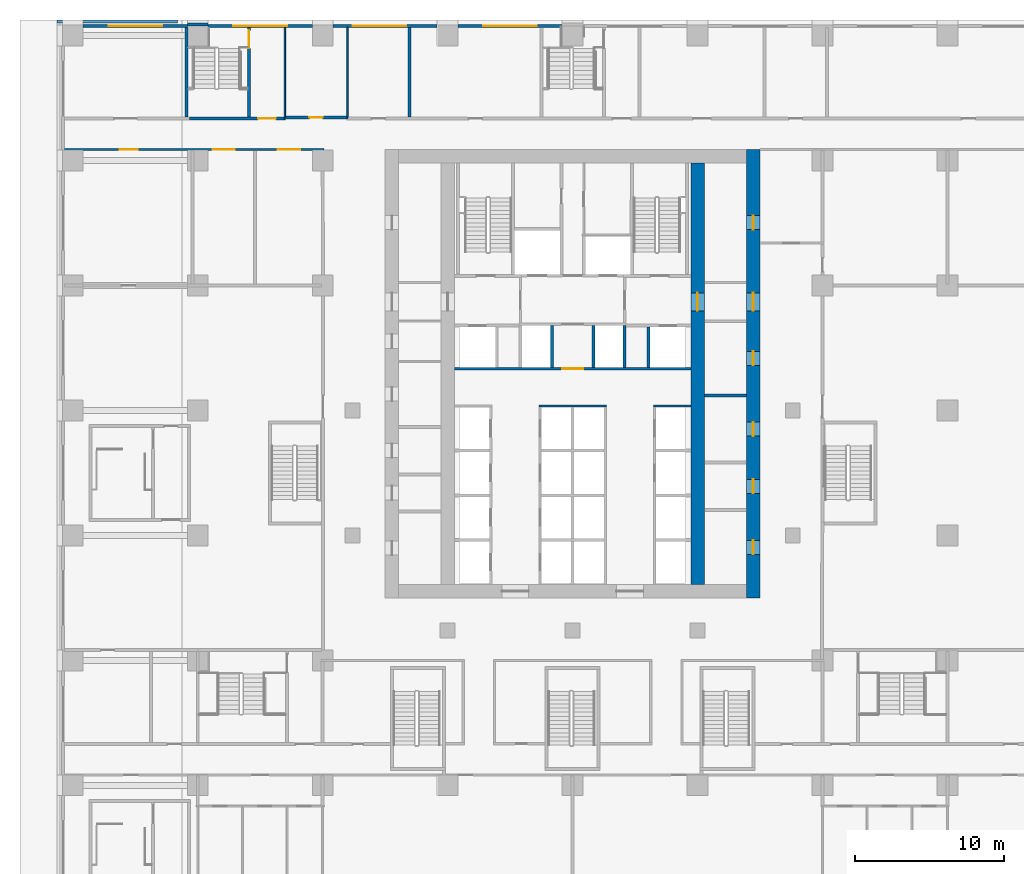
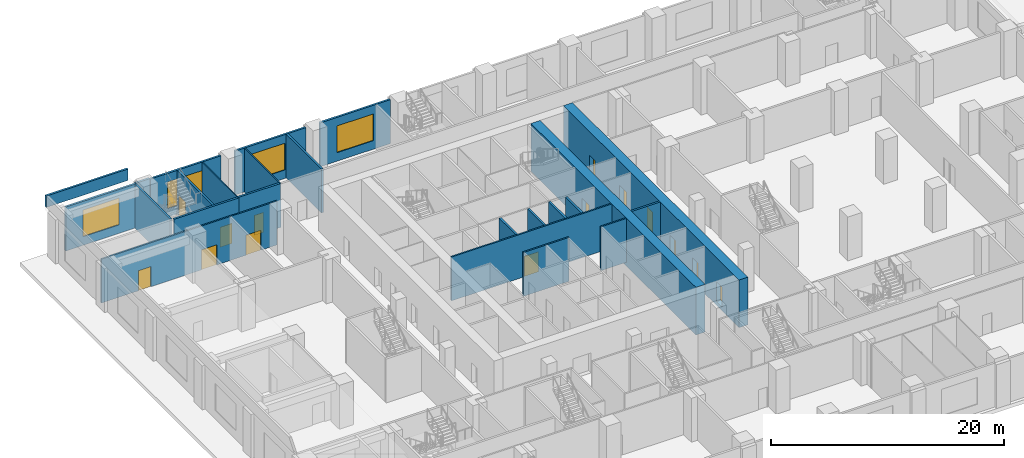
# One storey, part 13 of 29: 24 walls, 14 doors, 4 windows, 18 openings.
"""IFC4 building model written with IfcOpenShell, lengths in metres."""

from ifc_helpers import new_model, si_unit, direction, frame, frame_2d, origin, place, context, subcontext, project, spatial, rectangle, extrude, material, layer, layer_set, type_object, element, fill, save


model = new_model("IFC4")

# Units and contexts
model_context = context("Model", 3, precision=1e-05, world=origin(), true_north=direction((0.0, 1.0)))
body_context = subcontext(model_context, "Body", "Model", "MODEL_VIEW")
ifc_project = project(units=[si_unit("LENGTHUNIT", "METRE"), si_unit("AREAUNIT", "SQUARE_METRE"), si_unit("VOLUMEUNIT", "CUBIC_METRE"), si_unit("PLANEANGLEUNIT", "RADIAN"), si_unit("MASSUNIT", "GRAM", prefix="KILO")], contexts=[model_context])

# Site, building, storey
site_placement = place(None, origin())
site = spatial("IfcSite", under=ifc_project, at=site_placement, CompositionType="ELEMENT")
building_placement = place(site_placement, origin())
building = spatial("IfcBuilding", under=site, at=building_placement, Name="Vermilion Ogive Tower", CompositionType="ELEMENT")
storey_placement = place(building_placement, frame((0.0, 0.0, 7.5)))
storey = spatial("IfcBuildingStorey", under=building, at=storey_placement, Name="L01", CompositionType="ELEMENT", Elevation=7.5)

# Wall, openings, doors
ifc_material_1 = material(Name="Concrete B80", Category="concrete")
ifc_layer_1 = layer(ifc_material_1, 0.89990234375)
ifc_layer_set_1 = layer_set([ifc_layer_1], Name="Core wall 900 B80")
wall_type_1 = type_object("IfcWallType", Name="Core wall 900 B80", PredefinedType="SHEAR", material=ifc_layer_set_1)
wall_1_placement = place(storey_placement, frame((12.14990234375, -8.39990234375, -0.39990234375), z_axis=(0.0, 0.0, 1.0), x_axis=(0.0, 1.0, 0.0)))
wall_1 = element("IfcWall", 1, at=wall_1_placement, inside=storey, type_object=wall_type_1, Name="L01-CORE-E", PredefinedType="SHEAR", context=body_context, shape_type="SweptSolid", body=[
    extrude(rectangle(XDim=30.14990234375, YDim=0.89990234375, at=frame_2d((15.074951171875, 0.0))), origin(), (0.0, 0.0, 1.0), 5.0),
])
opening_1_placement = place(wall_1_placement, frame((2.925048828125, 0.0, 0.39990234375)))
opening_1 = element("IfcOpeningElement", 2, at=opening_1_placement, cuts=wall_1, Name="Opening DAJ007", PredefinedType="OPENING", context=body_context, shape_type="SweptSolid", body=[
    extrude(rectangle(XDim=0.949951171875, YDim=2.10009765625, at=frame_2d((0.47509765625, 1.050048828125))), frame((0.0, 0.4599609375, 0.0), z_axis=(0.0, -1.0, 0.0), x_axis=(1.0, 0.0, 0.0)), (0.0, 0.0, 1.0), 0.919921875),
])
opening_2_placement = place(wall_1_placement, frame((7.02490234375, 0.0, 0.39990234375)))
opening_2 = element("IfcOpeningElement", 3, at=opening_2_placement, cuts=wall_1, Name="Opening DAJ008", PredefinedType="OPENING", context=body_context, shape_type="SweptSolid", body=[
    extrude(rectangle(XDim=0.949951171875, YDim=2.10009765625, at=frame_2d((0.47509765625, 1.050048828125))), frame((0.0, 0.4599609375, 0.0), z_axis=(0.0, -1.0, 0.0), x_axis=(1.0, 0.0, 0.0)), (0.0, 0.0, 1.0), 0.919921875),
])
opening_3_placement = place(wall_1_placement, frame((10.875, 0.0, 0.39990234375)))
opening_3 = element("IfcOpeningElement", 4, at=opening_3_placement, cuts=wall_1, Name="Opening DAJ009", PredefinedType="OPENING", context=body_context, shape_type="SweptSolid", body=[
    extrude(rectangle(XDim=0.949951171875, YDim=2.10009765625, at=frame_2d((0.47509765625, 1.050048828125))), frame((0.0, 0.4599609375, 0.0), z_axis=(0.0, -1.0, 0.0), x_axis=(1.0, 0.0, 0.0)), (0.0, 0.0, 1.0), 0.919921875),
])
opening_4_placement = place(wall_1_placement, frame((15.625, 0.0, 0.39990234375)))
opening_4 = element("IfcOpeningElement", 5, at=opening_4_placement, cuts=wall_1, Name="Opening DAJ010", PredefinedType="OPENING", context=body_context, shape_type="SweptSolid", body=[
    extrude(rectangle(XDim=0.949951171875, YDim=2.10009765625, at=frame_2d((0.47509765625, 1.050048828125))), frame((0.0, 0.4599609375, 0.0), z_axis=(0.0, -1.0, 0.0), x_axis=(1.0, 0.0, 0.0)), (0.0, 0.0, 1.0), 0.919921875),
])
opening_5_placement = place(wall_1_placement, frame((24.75, 0.0, 0.39990234375)))
opening_5 = element("IfcOpeningElement", 6, at=opening_5_placement, cuts=wall_1, Name="Opening DAJ011", PredefinedType="OPENING", context=body_context, shape_type="SweptSolid", body=[
    extrude(rectangle(XDim=0.949951171875, YDim=2.10009765625, at=frame_2d((0.47509765625, 1.050048828125))), frame((0.0, 0.4599609375, 0.0), z_axis=(0.0, -1.0, 0.0), x_axis=(1.0, 0.0, 0.0)), (0.0, 0.0, 1.0), 0.919921875),
])
opening_6_placement = place(wall_1_placement, frame((19.300048828125, 0.0, 0.39990234375)))
opening_6 = element("IfcOpeningElement", 7, at=opening_6_placement, cuts=wall_1, Name="Opening DBA002", PredefinedType="OPENING", context=body_context, shape_type="SweptSolid", body=[
    extrude(rectangle(XDim=1.199951171875, YDim=2.10009765625, at=frame_2d((0.60009765625, 1.050048828125))), frame((0.0, 0.4599609375, 0.0), z_axis=(0.0, -1.0, 0.0), x_axis=(1.0, 0.0, 0.0)), (0.0, 0.0, 1.0), 0.919921875),
])
ifc_material_2 = material(Name="Timber door leaf", Category="wood")
door_type_1 = type_object("IfcDoorType", Name="Link door 1200 x 2100 FD60S", OperationType="SINGLE_SWING_LEFT", PredefinedType="DOOR", material=ifc_material_2)
door_1_placement = place(opening_6_placement, origin())
door_1 = element("IfcDoor", 8, at=door_1_placement, inside=storey, type_object=door_type_1, Name="L01-CKE-XL", OperationType="SINGLE_SWING_LEFT", OverallHeight=2.10009765625, OverallWidth=1.199951171875, PredefinedType="DOOR", context=body_context, shape_type="SweptSolid", body=[
    extrude(rectangle(XDim=1.199951171875, YDim=2.10009765625, at=frame_2d((0.60009765625, 1.050048828125))), frame((0.0, 0.02490234375, 0.0), z_axis=(0.0, -1.0, 0.0), x_axis=(1.0, 0.0, 0.0)), (0.0, 0.0, 1.0), 0.050048828125),
])
fill(opening_6, door_1)
ifc_material_3 = material(Name="Timber door leaf", Category="wood")
door_type_2 = type_object("IfcDoorType", Name="Service door 950 x 2100 FD60", OperationType="SINGLE_SWING_LEFT", PredefinedType="DOOR", material=ifc_material_3)
door_2_placement = place(opening_1_placement, origin())
door_2 = element("IfcDoor", 9, at=door_2_placement, inside=storey, type_object=door_type_2, Name="L01-CKE-XR0", OperationType="SINGLE_SWING_LEFT", OverallHeight=2.10009765625, OverallWidth=0.949951171875, PredefinedType="DOOR", context=body_context, shape_type="SweptSolid", body=[
    extrude(rectangle(XDim=0.949951171875, YDim=2.10009765625, at=frame_2d((0.47509765625, 1.050048828125))), frame((0.0, 0.02490234375, 0.0), z_axis=(0.0, -1.0, 0.0), x_axis=(1.0, 0.0, 0.0)), (0.0, 0.0, 1.0), 0.050048828125),
])
fill(opening_1, door_2)
door_3_placement = place(opening_2_placement, origin())
door_3 = element("IfcDoor", 10, at=door_3_placement, inside=storey, type_object=door_type_2, Name="L01-CKE-XR1", OperationType="SINGLE_SWING_LEFT", OverallHeight=2.10009765625, OverallWidth=0.949951171875, PredefinedType="DOOR", context=body_context, shape_type="SweptSolid", body=[
    extrude(rectangle(XDim=0.949951171875, YDim=2.10009765625, at=frame_2d((0.47509765625, 1.050048828125))), frame((0.0, 0.02490234375, 0.0), z_axis=(0.0, -1.0, 0.0), x_axis=(1.0, 0.0, 0.0)), (0.0, 0.0, 1.0), 0.050048828125),
])
fill(opening_2, door_3)
door_4_placement = place(opening_3_placement, origin())
door_4 = element("IfcDoor", 11, at=door_4_placement, inside=storey, type_object=door_type_2, Name="L01-CKE-XR2", OperationType="SINGLE_SWING_LEFT", OverallHeight=2.10009765625, OverallWidth=0.949951171875, PredefinedType="DOOR", context=body_context, shape_type="SweptSolid", body=[
    extrude(rectangle(XDim=0.949951171875, YDim=2.10009765625, at=frame_2d((0.47509765625, 1.050048828125))), frame((0.0, 0.02490234375, 0.0), z_axis=(0.0, -1.0, 0.0), x_axis=(1.0, 0.0, 0.0)), (0.0, 0.0, 1.0), 0.050048828125),
])
fill(opening_3, door_4)
door_5_placement = place(opening_4_placement, origin())
door_5 = element("IfcDoor", 12, at=door_5_placement, inside=storey, type_object=door_type_2, Name="L01-CKE-XR3", OperationType="SINGLE_SWING_LEFT", OverallHeight=2.10009765625, OverallWidth=0.949951171875, PredefinedType="DOOR", context=body_context, shape_type="SweptSolid", body=[
    extrude(rectangle(XDim=0.949951171875, YDim=2.10009765625, at=frame_2d((0.47509765625, 1.050048828125))), frame((0.0, 0.02490234375, 0.0), z_axis=(0.0, -1.0, 0.0), x_axis=(1.0, 0.0, 0.0)), (0.0, 0.0, 1.0), 0.050048828125),
])
fill(opening_4, door_5)
door_6_placement = place(opening_5_placement, origin())
door_6 = element("IfcDoor", 13, at=door_6_placement, inside=storey, type_object=door_type_2, Name="L01-CKE-XR4", OperationType="SINGLE_SWING_LEFT", OverallHeight=2.10009765625, OverallWidth=0.949951171875, PredefinedType="DOOR", context=body_context, shape_type="SweptSolid", body=[
    extrude(rectangle(XDim=0.949951171875, YDim=2.10009765625, at=frame_2d((0.47509765625, 1.050048828125))), frame((0.0, 0.02490234375, 0.0), z_axis=(0.0, -1.0, 0.0), x_axis=(1.0, 0.0, 0.0)), (0.0, 0.0, 1.0), 0.050048828125),
])
fill(opening_5, door_6)

# Wall, opening, door
wall_2_placement = place(storey_placement, frame((8.39990234375, -7.5, -0.39990234375), z_axis=(0.0, 0.0, 1.0), x_axis=(0.0, 1.0, 0.0)))
wall_2 = element("IfcWall", 14, at=wall_2_placement, inside=storey, type_object=wall_type_1, Name="L01-CORE-WEB2", PredefinedType="SHEAR", context=body_context, shape_type="SweptSolid", body=[
    extrude(rectangle(XDim=28.35009765625, YDim=0.89990234375, at=frame_2d((14.175048828125, 0.0))), origin(), (0.0, 0.0, 1.0), 5.0),
])
opening_7_placement = place(wall_2_placement, frame((18.39990234375, 0.0, 0.39990234375)))
opening_7 = element("IfcOpeningElement", 15, at=opening_7_placement, cuts=wall_2, Name="Opening DBC002", PredefinedType="OPENING", context=body_context, shape_type="SweptSolid", body=[
    extrude(rectangle(XDim=1.199951171875, YDim=2.10009765625, at=frame_2d((0.60009765625, 1.050048828125))), frame((0.0, 0.4599609375, 0.0), z_axis=(0.0, -1.0, 0.0), x_axis=(1.0, 0.0, 0.0)), (0.0, 0.0, 1.0), 0.919921875),
])
door_7_placement = place(opening_7_placement, origin())
door_7 = element("IfcDoor", 16, at=door_7_placement, inside=storey, type_object=door_type_1, Name="L01-CKE-XW", OperationType="SINGLE_SWING_LEFT", OverallHeight=2.10009765625, OverallWidth=1.199951171875, PredefinedType="DOOR", context=body_context, shape_type="SweptSolid", body=[
    extrude(rectangle(XDim=1.199951171875, YDim=2.10009765625, at=frame_2d((0.60009765625, 1.050048828125))), frame((0.0, 0.02490234375, 0.0), z_axis=(0.0, -1.0, 0.0), x_axis=(1.0, 0.0, 0.0)), (0.0, 0.0, 1.0), 0.050048828125),
])
fill(opening_7, door_7)

# Walls
ifc_material_4 = material(Name="Gypsum board partition on steel studs", Category="steel")
ifc_layer_2 = layer(ifc_material_4, 0.10009765625)
ifc_layer_set_2 = layer_set([ifc_layer_2], Name="Partition 100 bath")
wall_type_2 = type_object("IfcWallType", Name="Partition 100 bath", PredefinedType="PARTITIONING", material=ifc_layer_set_2)
for number, where, z_axis, x_axis, name in (
    (17, (-19.35009765625, 23.925048828125, 0.0), (0.0, 0.0, 1.0), (0.0, 1.0, 0.0), "L01-FS-W-W056"),
    (18, (-15.14990234375, 23.925048828125, 0.0), (0.0, 0.0, 1.0), (0.0, 1.0, 0.0), "L01-FS-W-W063"),
):
    element("IfcWall", number, at=place(storey_placement, frame(where, z_axis=z_axis, x_axis=x_axis)), inside=storey, type_object=wall_type_2, Name=name, PredefinedType="PARTITIONING", context=body_context, shape_type="SweptSolid", body=[
        extrude(rectangle(XDim=6.02490234375, YDim=0.10009765625, at=frame_2d((3.012451171875, 0.0))), origin(), (0.0, 0.0, 1.0), 4.60009765625),
    ])

# Wall, openings, doors
ifc_material_5 = material(Name="Gypsum board partition on steel studs", Category="steel")
ifc_layer_3 = layer(ifc_material_5, 0.14990234375)
ifc_layer_set_3 = layer_set([ifc_layer_3], Name="Partition 150 corridor")
wall_type_3 = type_object("IfcWallType", Name="Partition 150 corridor", PredefinedType="PARTITIONING", material=ifc_layer_set_3)
wall_3_placement = place(storey_placement, frame((-34.14990234375, 21.75, 0.0), z_axis=(0.0, 0.0, 1.0), x_axis=(1.0, 0.0, 0.0)))
wall_3 = element("IfcWall", 19, at=wall_3_placement, inside=storey, type_object=wall_type_3, Name="L01-FS-W-W031", PredefinedType="PARTITIONING", context=body_context, shape_type="SweptSolid", body=[
    extrude(rectangle(XDim=17.4248046875, YDim=0.14990234375, at=frame_2d((8.71240234375, 0.0))), origin(), (0.0, 0.0, 1.0), 4.60009765625),
])
opening_8_placement = place(wall_3_placement, frame((3.699951171875, 0.0, 0.0)))
opening_8 = element("IfcOpeningElement", 20, at=opening_8_placement, cuts=wall_3, Name="Opening L01S026", PredefinedType="OPENING", context=body_context, shape_type="SweptSolid", body=[
    extrude(rectangle(XDim=1.199951171875, YDim=2.10009765625, at=frame_2d((0.60009765625, 1.050048828125))), frame((0.0, 0.0849609375, 0.0), z_axis=(0.0, -1.0, 0.0), x_axis=(1.0, 0.0, 0.0)), (0.0, 0.0, 1.0), 0.169921875),
])
opening_9_placement = place(wall_3_placement, frame((9.949951171875, 0.0, 0.0)))
opening_9 = element("IfcOpeningElement", 21, at=opening_9_placement, cuts=wall_3, Name="Opening L01S027", PredefinedType="OPENING", context=body_context, shape_type="SweptSolid", body=[
    extrude(rectangle(XDim=1.5, YDim=2.10009765625, at=frame_2d((0.75, 1.050048828125))), frame((0.0, 0.0849609375, 0.0), z_axis=(0.0, -1.0, 0.0), x_axis=(1.0, 0.0, 0.0)), (0.0, 0.0, 1.0), 0.169921875),
])
opening_10_placement = place(wall_3_placement, frame((14.324951171875, 0.0, 0.0)))
opening_10 = element("IfcOpeningElement", 22, at=opening_10_placement, cuts=wall_3, Name="Opening L01S028", PredefinedType="OPENING", context=body_context, shape_type="SweptSolid", body=[
    extrude(rectangle(XDim=1.5, YDim=2.10009765625, at=frame_2d((0.75, 1.050048828125))), frame((0.0, 0.0849609375, 0.0), z_axis=(0.0, -1.0, 0.0), x_axis=(1.0, 0.0, 0.0)), (0.0, 0.0, 1.0), 0.169921875),
])
ifc_material_6 = material(Name="Timber door leaf", Category="wood")
door_type_3 = type_object("IfcDoorType", Name="Assembly door 1500 x 2100 FD30", OperationType="DOUBLE_DOOR_SINGLE_SWING", PredefinedType="DOOR", material=ifc_material_6)
door_8_placement = place(opening_9_placement, origin())
door_8 = element("IfcDoor", 23, at=door_8_placement, inside=storey, type_object=door_type_3, Name="L01-FS-D-D027", OperationType="DOUBLE_DOOR_SINGLE_SWING", OverallHeight=2.10009765625, OverallWidth=1.5, PredefinedType="DOOR", context=body_context, shape_type="SweptSolid", body=[
    extrude(rectangle(XDim=1.5, YDim=2.10009765625, at=frame_2d((0.75, 1.050048828125))), frame((0.0, 0.02490234375, 0.0), z_axis=(0.0, -1.0, 0.0), x_axis=(1.0, 0.0, 0.0)), (0.0, 0.0, 1.0), 0.050048828125),
])
fill(opening_9, door_8)
door_9_placement = place(opening_10_placement, origin())
door_9 = element("IfcDoor", 24, at=door_9_placement, inside=storey, type_object=door_type_3, Name="L01-FS-D-D028", OperationType="DOUBLE_DOOR_SINGLE_SWING", OverallHeight=2.10009765625, OverallWidth=1.5, PredefinedType="DOOR", context=body_context, shape_type="SweptSolid", body=[
    extrude(rectangle(XDim=1.5, YDim=2.10009765625, at=frame_2d((0.75, 1.050048828125))), frame((0.0, 0.02490234375, 0.0), z_axis=(0.0, -1.0, 0.0), x_axis=(1.0, 0.0, 0.0)), (0.0, 0.0, 1.0), 0.050048828125),
])
fill(opening_10, door_9)
ifc_material_7 = material(Name="Timber door leaf", Category="wood")
door_type_4 = type_object("IfcDoorType", Name="Room door 1200 x 2100 FD30", OperationType="SINGLE_SWING_LEFT", PredefinedType="DOOR", material=ifc_material_7)
door_10_placement = place(opening_8_placement, origin())
door_10 = element("IfcDoor", 25, at=door_10_placement, inside=storey, type_object=door_type_4, Name="L01-FS-D-D026", OperationType="SINGLE_SWING_RIGHT", OverallHeight=2.10009765625, OverallWidth=1.199951171875, PredefinedType="DOOR", context=body_context, shape_type="SweptSolid", body=[
    extrude(rectangle(XDim=1.199951171875, YDim=2.10009765625, at=frame_2d((0.60009765625, 1.050048828125))), frame((0.0, 0.02490234375, 0.0), z_axis=(0.0, -1.0, 0.0), x_axis=(1.0, 0.0, 0.0)), (0.0, 0.0, 1.0), 0.050048828125),
])
fill(opening_8, door_10)

# Walls
wall_4_placement = place(storey_placement, frame((-2.27490234375, 4.5, 0.0), z_axis=(0.0, 0.0, 1.0), x_axis=(1.0, 0.0, 0.0)))
element("IfcWall", 26, at=wall_4_placement, inside=storey, type_object=wall_type_3, Name="L01-CK-W-W011", PredefinedType="PARTITIONING", context=body_context, shape_type="SweptSolid", body=[
    extrude(rectangle(XDim=4.5498046875, YDim=0.14990234375, at=frame_2d((2.27490234375, 0.0))), origin(), (0.0, 0.0, 1.0), 4.60009765625),
])
wall_5_placement = place(storey_placement, frame((5.425048828125, 4.5, 0.0), z_axis=(0.0, 0.0, 1.0), x_axis=(1.0, 0.0, 0.0)))
element("IfcWall", 27, at=wall_5_placement, inside=storey, type_object=wall_type_3, Name="L01-CK-W-W012", PredefinedType="PARTITIONING", context=body_context, shape_type="SweptSolid", body=[
    extrude(rectangle(XDim=2.52392578125, YDim=0.14990234375, at=frame_2d((1.261962890625, 0.0))), origin(), (0.0, 0.0, 1.0), 4.60009765625),
])

# Wall, opening, door
wall_6_placement = place(storey_placement, frame((-7.948974609375, 7.0, 0.0), z_axis=(0.0, 0.0, 1.0), x_axis=(1.0, 0.0, 0.0)))
wall_6 = element("IfcWall", 28, at=wall_6_placement, inside=storey, type_object=wall_type_3, Name="L01-CK-W-W013", PredefinedType="PARTITIONING", context=body_context, shape_type="SweptSolid", body=[
    extrude(rectangle(XDim=15.89794921875, YDim=0.14990234375, at=frame_2d((7.948974609375, 0.0))), origin(), (0.0, 0.0, 1.0), 4.60009765625),
])
opening_11_placement = place(wall_6_placement, frame((7.2490234375, 0.0, 0.0)))
opening_11 = element("IfcOpeningElement", 29, at=opening_11_placement, cuts=wall_6, Name="Opening DAB034", PredefinedType="OPENING", context=body_context, shape_type="SweptSolid", body=[
    extrude(rectangle(XDim=1.39990234375, YDim=2.10009765625, at=frame_2d((0.699951171875, 1.050048828125))), frame((0.0, 0.0849609375, 0.0), z_axis=(0.0, -1.0, 0.0), x_axis=(1.0, 0.0, 0.0)), (0.0, 0.0, 1.0), 0.169921875),
])
ifc_material_8 = material(Name="Timber door leaf", Category="wood")
door_type_5 = type_object("IfcDoorType", Name="Lobby door 1400 x 2100 FD60S", OperationType="SINGLE_SWING_LEFT", PredefinedType="DOOR", material=ifc_material_8)
door_11_placement = place(opening_11_placement, origin())
door_11 = element("IfcDoor", 30, at=door_11_placement, inside=storey, type_object=door_type_5, Name="L01-CK-D-D015", OperationType="SINGLE_SWING_RIGHT", OverallHeight=2.10009765625, OverallWidth=1.39990234375, PredefinedType="DOOR", context=body_context, shape_type="SweptSolid", body=[
    extrude(rectangle(XDim=1.39990234375, YDim=2.10009765625, at=frame_2d((0.699951171875, 1.050048828125))), frame((0.0, 0.02490234375, 0.0), z_axis=(0.0, -1.0, 0.0), x_axis=(1.0, 0.0, 0.0)), (0.0, 0.0, 1.0), 0.050048828125),
])
fill(opening_11, door_11)

# Walls
ifc_material_9 = material(Name="Gypsum board partition on steel studs", Category="steel")
ifc_layer_4 = layer(ifc_material_9, 0.199951171875)
ifc_layer_set_4 = layer_set([ifc_layer_4], Name="Partition 200 party")
wall_type_4 = type_object("IfcWallType", Name="Partition 200 party", PredefinedType="PARTITIONING", material=ifc_layer_set_4)
wall_7_placement = place(storey_placement, frame((-10.949951171875, 23.925048828125, 0.0), z_axis=(0.0, 0.0, 1.0), x_axis=(0.0, 1.0, 0.0)))
element("IfcWall", 31, at=wall_7_placement, inside=storey, type_object=wall_type_4, Name="L01-FS-W-W064", PredefinedType="PARTITIONING", context=body_context, shape_type="SweptSolid", body=[
    extrude(rectangle(XDim=6.02490234375, YDim=0.199951171875, at=frame_2d((3.012451171875, 0.0))), origin(), (0.0, 0.0, 1.0), 4.60009765625),
])
for number, where, z_axis, x_axis, name in (
    (32, (-1.39990234375, 7.074951171875, 0.0), (0.0, 0.0, 1.0), (0.0, 1.0, 0.0), "L01-CK-W-W028"),
    (33, (1.39990234375, 7.074951171875, 0.0), (0.0, 0.0, 1.0), (0.0, 1.0, 0.0), "L01-CK-W-W033"),
    (34, (3.5, 7.074951171875, 0.0), (0.0, 0.0, 1.0), (0.0, 1.0, 0.0), "L01-CK-W-W035"),
):
    element("IfcWall", number, at=place(storey_placement, frame(where, z_axis=z_axis, x_axis=x_axis)), inside=storey, type_object=wall_type_4, Name=name, PredefinedType="PARTITIONING", context=body_context, shape_type="SweptSolid", body=[
        extrude(rectangle(XDim=2.85009765625, YDim=0.199951171875, at=frame_2d((1.425048828125, 0.0))), origin(), (0.0, 0.0, 1.0), 4.60009765625),
    ])
wall_8_placement = place(storey_placement, frame((5.10009765625, 7.074951171875, 0.0), z_axis=(0.0, 0.0, 1.0), x_axis=(0.0, 1.0, 0.0)))
element("IfcWall", 35, at=wall_8_placement, inside=storey, type_object=wall_type_4, Name="L01-CK-W-W039", PredefinedType="PARTITIONING", context=body_context, shape_type="SweptSolid", body=[
    extrude(rectangle(XDim=2.72509765625, YDim=0.199951171875, at=frame_2d((1.362548828125, 0.0))), origin(), (0.0, 0.0, 1.0), 4.60009765625),
])
wall_9_placement = place(storey_placement, frame((8.85107421875, 5.199951171875, 0.0), z_axis=(0.0, 0.0, 1.0), x_axis=(1.0, 0.0, 0.0)))
element("IfcWall", 36, at=wall_9_placement, inside=storey, type_object=wall_type_4, Name="L01-CKE-W-W003", PredefinedType="PARTITIONING", context=body_context, shape_type="SweptSolid", body=[
    extrude(rectangle(XDim=2.847900390625, YDim=0.199951171875, at=frame_2d((1.423828125, 0.0))), origin(), (0.0, 0.0, 1.0), 4.60009765625),
])

# Wall, opening, door
ifc_material_10 = material(Name="Concrete B60", Category="concrete")
ifc_layer_5 = layer(ifc_material_10, 0.199951171875)
ifc_layer_set_5 = layer_set([ifc_layer_5], Name="Stair shaft wall 200 Concrete B60")
wall_type_5 = type_object("IfcWallType", Name="Stair shaft wall 200 Concrete B60", PredefinedType="SOLIDWALL", material=ifc_layer_set_5)
wall_10_placement = place(storey_placement, frame((-25.75, 23.8251953125, 0.0), z_axis=(0.0, 0.0, 1.0), x_axis=(1.0, 0.0, 0.0)))
wall_10 = element("IfcWall", 37, at=wall_10_placement, inside=storey, type_object=wall_type_5, Name="L01-FS-W-W037", PredefinedType="SOLIDWALL", context=body_context, shape_type="SweptSolid", body=[
    extrude(rectangle(XDim=6.449951171875, YDim=0.199951171875, at=frame_2d((3.22509765625, 0.0))), origin(), (0.0, 0.0, 1.0), 4.60009765625),
])
opening_12_placement = place(wall_10_placement, frame((4.60009765625, 0.0, 0.0)))
opening_12 = element("IfcOpeningElement", 38, at=opening_12_placement, cuts=wall_10, Name="Opening L01S012", PredefinedType="OPENING", context=body_context, shape_type="SweptSolid", body=[
    extrude(rectangle(XDim=1.199951171875, YDim=2.10009765625, at=frame_2d((0.60009765625, 1.050048828125))), frame((0.0, 0.10986328125, 0.0), z_axis=(0.0, -1.0, 0.0), x_axis=(1.0, 0.0, 0.0)), (0.0, 0.0, 1.0), 0.219970703125),
])
ifc_material_11 = material(Name="Timber door leaf", Category="wood")
door_type_6 = type_object("IfcDoorType", Name="Stair door 1200 x 2100 FD60S", OperationType="SINGLE_SWING_LEFT", PredefinedType="DOOR", material=ifc_material_11)
door_12_placement = place(opening_12_placement, origin())
door_12 = element("IfcDoor", 39, at=door_12_placement, inside=storey, type_object=door_type_6, Name="L01-FS-D-D012", OperationType="SINGLE_SWING_RIGHT", OverallHeight=2.10009765625, OverallWidth=1.199951171875, PredefinedType="DOOR", context=body_context, shape_type="SweptSolid", body=[
    extrude(rectangle(XDim=1.199951171875, YDim=2.10009765625, at=frame_2d((0.60009765625, 1.050048828125))), frame((0.0, 0.02490234375, 0.0), z_axis=(0.0, -1.0, 0.0), x_axis=(1.0, 0.0, 0.0)), (0.0, 0.0, 1.0), 0.050048828125),
])
fill(opening_12, door_12)

wall_11_placement = place(storey_placement, frame((-19.39990234375, 23.900146484375, 0.0), z_axis=(0.0, 0.0, 1.0), x_axis=(1.0, 0.0, 0.0)))
wall_11 = element("IfcWall", 40, at=wall_11_placement, inside=storey, type_object=wall_type_5, Name="L01-FS-W-W038", PredefinedType="SOLIDWALL", context=body_context, shape_type="SweptSolid", body=[
    extrude(rectangle(XDim=4.2998046875, YDim=0.199951171875, at=frame_2d((2.14990234375, 0.0))), origin(), (0.0, 0.0, 1.0), 4.60009765625),
])
opening_13_placement = place(wall_11_placement, frame((1.699951171875, 0.0, 0.0)))
opening_13 = element("IfcOpeningElement", 41, at=opening_13_placement, cuts=wall_11, Name="Opening L01S055", PredefinedType="OPENING", context=body_context, shape_type="SweptSolid", body=[
    extrude(rectangle(XDim=0.89990234375, YDim=2.10009765625, at=frame_2d((0.449951171875, 1.050048828125))), frame((0.0, 0.10986328125, 0.0), z_axis=(0.0, -1.0, 0.0), x_axis=(1.0, 0.0, 0.0)), (0.0, 0.0, 1.0), 0.219970703125),
])
ifc_material_12 = material(Name="Timber door leaf", Category="wood")
door_type_7 = type_object("IfcDoorType", Name="Room door 900 x 2100 FD30", OperationType="SINGLE_SWING_LEFT", PredefinedType="DOOR", material=ifc_material_12)
door_13_placement = place(opening_13_placement, origin())
door_13 = element("IfcDoor", 42, at=door_13_placement, inside=storey, type_object=door_type_7, Name="L01-FS-D-D055", OperationType="SINGLE_SWING_RIGHT", OverallHeight=2.10009765625, OverallWidth=0.89990234375, PredefinedType="DOOR", context=body_context, shape_type="SweptSolid", body=[
    extrude(rectangle(XDim=0.89990234375, YDim=2.10009765625, at=frame_2d((0.449951171875, 1.050048828125))), frame((0.0, 0.02490234375, 0.0), z_axis=(0.0, -1.0, 0.0), x_axis=(1.0, 0.0, 0.0)), (0.0, 0.0, 1.0), 0.050048828125),
])
fill(opening_13, door_13)

wall_12_placement = place(storey_placement, frame((-21.75, 23.925048828125, 0.0), z_axis=(0.0, 0.0, 1.0), x_axis=(0.0, 1.0, 0.0)))
wall_12 = element("IfcWall", 43, at=wall_12_placement, inside=storey, type_object=wall_type_5, Name="L01-FS-W-W054", PredefinedType="SOLIDWALL", context=body_context, shape_type="SweptSolid", body=[
    extrude(rectangle(XDim=6.02490234375, YDim=0.199951171875, at=frame_2d((3.012451171875, 0.0))), origin(), (0.0, 0.0, 1.0), 4.60009765625),
])
opening_14_placement = place(wall_12_placement, frame((4.625, 0.0, 0.0)))
opening_14 = element("IfcOpeningElement", 44, at=opening_14_placement, cuts=wall_12, Name="Opening L01S001", PredefinedType="OPENING", context=body_context, shape_type="SweptSolid", body=[
    extrude(rectangle(XDim=1.199951171875, YDim=2.10009765625, at=frame_2d((0.60009765625, 1.050048828125))), frame((0.0, 0.10986328125, 0.0), z_axis=(0.0, -1.0, 0.0), x_axis=(1.0, 0.0, 0.0)), (0.0, 0.0, 1.0), 0.219970703125),
])
door_14_placement = place(opening_14_placement, origin())
door_14 = element("IfcDoor", 45, at=door_14_placement, inside=storey, type_object=door_type_6, Name="L01-FS-D-D001", OperationType="DOUBLE_DOOR_SINGLE_SWING", OverallHeight=2.10009765625, OverallWidth=1.199951171875, PredefinedType="DOOR", context=body_context, shape_type="SweptSolid", body=[
    extrude(rectangle(XDim=1.199951171875, YDim=2.10009765625, at=frame_2d((0.60009765625, 1.050048828125))), frame((0.0, 0.02490234375, 0.0), z_axis=(0.0, -1.0, 0.0), x_axis=(1.0, 0.0, 0.0)), (0.0, 0.0, 1.0), 0.050048828125),
])
fill(opening_14, door_14)

# Wall, opening, window
wall_13_placement = place(storey_placement, frame((-7.699951171875, 30.050048828125, 0.0), z_axis=(0.0, 0.0, 1.0), x_axis=(1.0, 0.0, 0.0)))
wall_13 = element("IfcWall", 46, at=wall_13_placement, inside=storey, type_object=wall_type_5, Name="Window wall N7", PredefinedType="SOLIDWALL", context=body_context, shape_type="SweptSolid", body=[
    extrude(rectangle(XDim=7.0, YDim=0.199951171875, at=frame_2d((3.5, 0.0))), origin(), (0.0, 0.0, 1.0), 4.60009765625),
])
opening_15_placement = place(wall_13_placement, frame((1.699951171875, 0.0, 0.89990234375)))
opening_15 = element("IfcOpeningElement", 47, at=opening_15_placement, cuts=wall_13, Name="Opening P-N7", PredefinedType="OPENING", context=body_context, shape_type="SweptSolid", body=[
    extrude(rectangle(XDim=3.60009765625, YDim=2.800048828125, at=frame_2d((1.800048828125, 1.39990234375))), frame((0.0, 0.10986328125, 0.0), z_axis=(0.0, -1.0, 0.0), x_axis=(1.0, 0.0, 0.0)), (0.0, 0.0, 1.0), 0.219970703125),
])
ifc_material_13 = material(Name="Aluminium framed double glazing", Category="aluminium")
window_type = type_object("IfcWindowType", Name="Podium window P 3600x2800 sill 900", PartitioningType="SINGLE_PANEL", PredefinedType="WINDOW", material=ifc_material_13)
window_1_placement = place(opening_15_placement, origin())
window_1 = element("IfcWindow", 48, at=window_1_placement, inside=storey, type_object=window_type, Name="Window N7", OverallHeight=2.800048828125, OverallWidth=3.60009765625, PartitioningType="SINGLE_PANEL", PredefinedType="WINDOW", context=body_context, shape_type="SweptSolid", body=[
    extrude(rectangle(XDim=3.60009765625, YDim=2.800048828125, at=frame_2d((1.800048828125, 1.39990234375))), frame((0.0, 0.030029296875, 0.0), z_axis=(0.0, -1.0, 0.0), x_axis=(1.0, 0.0, 0.0)), (0.0, 0.0, 1.0), 0.06005859375),
])
fill(opening_15, window_1)

wall_14_placement = place(storey_placement, frame((-24.5, 30.050048828125, 0.0), z_axis=(0.0, 0.0, 1.0), x_axis=(1.0, 0.0, 0.0)))
wall_14 = element("IfcWall", 49, at=wall_14_placement, inside=storey, type_object=wall_type_5, Name="Window wall N9", PredefinedType="SOLIDWALL", context=body_context, shape_type="SweptSolid", body=[
    extrude(rectangle(XDim=7.0, YDim=0.199951171875, at=frame_2d((3.5, 0.0))), origin(), (0.0, 0.0, 1.0), 4.60009765625),
])
opening_16_placement = place(wall_14_placement, frame((1.699951171875, 0.0, 0.89990234375)))
opening_16 = element("IfcOpeningElement", 50, at=opening_16_placement, cuts=wall_14, Name="Opening P-N9", PredefinedType="OPENING", context=body_context, shape_type="SweptSolid", body=[
    extrude(rectangle(XDim=3.60009765625, YDim=2.800048828125, at=frame_2d((1.800048828125, 1.39990234375))), frame((0.0, 0.10986328125, 0.0), z_axis=(0.0, -1.0, 0.0), x_axis=(1.0, 0.0, 0.0)), (0.0, 0.0, 1.0), 0.219970703125),
])
window_2_placement = place(opening_16_placement, origin())
window_2 = element("IfcWindow", 51, at=window_2_placement, inside=storey, type_object=window_type, Name="Window N9", OverallHeight=2.800048828125, OverallWidth=3.60009765625, PartitioningType="SINGLE_PANEL", PredefinedType="WINDOW", context=body_context, shape_type="SweptSolid", body=[
    extrude(rectangle(XDim=3.60009765625, YDim=2.800048828125, at=frame_2d((1.800048828125, 1.39990234375))), frame((0.0, 0.030029296875, 0.0), z_axis=(0.0, -1.0, 0.0), x_axis=(1.0, 0.0, 0.0)), (0.0, 0.0, 1.0), 0.06005859375),
])
fill(opening_16, window_2)

# Walls
wall_15_placement = place(storey_placement, frame((-25.89990234375, 30.14990234375, 0.0), z_axis=(0.0, 0.0, 1.0), x_axis=(1.0, 0.0, 0.0)))
element("IfcWall", 52, at=wall_15_placement, inside=storey, type_object=wall_type_5, Name="L01-SW-R001-N1", PredefinedType="SOLIDWALL", context=body_context, shape_type="SweptSolid", body=[
    extrude(rectangle(XDim=1.39990234375, YDim=0.199951171875, at=frame_2d((0.699951171875, 0.0))), origin(), (0.0, 0.0, 1.0), 4.60009765625),
])
wall_16_placement = place(storey_placement, frame((-25.949951171875, 23.925048828125, 0.0), z_axis=(0.0, 0.0, 1.0), x_axis=(0.0, 1.0, 0.0)))
element("IfcWall", 53, at=wall_16_placement, inside=storey, type_object=wall_type_5, Name="L01-FS-W-W046-A", PredefinedType="SOLIDWALL", context=body_context, shape_type="SweptSolid", body=[
    extrude(rectangle(XDim=6.02490234375, YDim=0.199951171875, at=frame_2d((3.012451171875, 0.0))), origin(), (0.0, 0.0, 1.0), 4.60009765625),
])
ifc_material_14 = material(Name="Concrete B45", Category="concrete")
ifc_layer_6 = layer(ifc_material_14, 0.199951171875)
ifc_layer_set_6 = layer_set([ifc_layer_6], Name="Terrace parapet RC Concrete B45")
wall_type_6 = type_object("IfcWallType", Name="Terrace parapet RC Concrete B45", PredefinedType="PARAPET", material=ifc_layer_set_6)
wall_17_placement = place(storey_placement, frame((-34.64990234375, 30.35009765625, 5.0), z_axis=(0.0, 0.0, 1.0), x_axis=(1.0, 0.0, 0.0)))
element("IfcWall", 54, at=wall_17_placement, inside=storey, type_object=wall_type_6, Name="L01 terrace parapet 3", PredefinedType="PARAPET", context=body_context, shape_type="SweptSolid", body=[
    extrude(rectangle(XDim=8.099853515625, YDim=0.199951171875, at=frame_2d((4.0498046875, 0.0))), origin(), (0.0, 0.0, 1.0), 1.199951171875),
])

# Wall, opening, window
ifc_material_15 = material(Name="Aluminium window wall framing", Category="aluminium")
ifc_layer_7 = layer(ifc_material_15, 0.199951171875)
ifc_layer_set_7 = layer_set([ifc_layer_7], Name="Window wall")
wall_type_7 = type_object("IfcWallType", Name="Window wall", PredefinedType="STANDARD", material=ifc_layer_set_7)
wall_18_placement = place(storey_placement, frame((-9.10009765625, 30.050048828125, 0.0), z_axis=(0.0, 0.0, 1.0), x_axis=(-1.0, 0.0, 0.0)))
wall_18 = element("IfcWall", 55, at=wall_18_placement, inside=storey, type_object=wall_type_7, Name="Window wall N8", PredefinedType="STANDARD", context=body_context, shape_type="SweptSolid", body=[
    extrude(rectangle(XDim=7.0, YDim=0.199951171875, at=frame_2d((3.5, 0.0))), origin(), (0.0, 0.0, 1.0), 4.60009765625),
])
opening_17_placement = place(wall_18_placement, frame((2.070068359375, 0.0, 0.89990234375)))
opening_17 = element("IfcOpeningElement", 56, at=opening_17_placement, cuts=wall_18, Name="Opening P-N8", PredefinedType="OPENING", context=body_context, shape_type="SweptSolid", body=[
    extrude(rectangle(XDim=3.60009765625, YDim=2.800048828125, at=frame_2d((1.800048828125, 1.39990234375))), frame((0.0, 0.10986328125, 0.0), z_axis=(0.0, -1.0, 0.0), x_axis=(1.0, 0.0, 0.0)), (0.0, 0.0, 1.0), 0.219970703125),
])
window_3_placement = place(opening_17_placement, origin())
window_3 = element("IfcWindow", 57, at=window_3_placement, inside=storey, type_object=window_type, Name="Window N8", OverallHeight=2.800048828125, OverallWidth=3.60009765625, PartitioningType="SINGLE_PANEL", PredefinedType="WINDOW", context=body_context, shape_type="SweptSolid", body=[
    extrude(rectangle(XDim=3.60009765625, YDim=2.800048828125, at=frame_2d((1.800048828125, 1.39990234375))), frame((0.0, 0.030029296875, 0.0), z_axis=(0.0, -1.0, 0.0), x_axis=(1.0, 0.0, 0.0)), (0.0, 0.0, 1.0), 0.06005859375),
])
fill(opening_17, window_3)

wall_19_placement = place(storey_placement, frame((-25.89990234375, 30.050048828125, 0.0), z_axis=(0.0, 0.0, 1.0), x_axis=(-1.0, 0.0, 0.0)))
wall_19 = element("IfcWall", 58, at=wall_19_placement, inside=storey, type_object=wall_type_7, Name="Window wall N10", PredefinedType="STANDARD", context=body_context, shape_type="SweptSolid", body=[
    extrude(rectangle(XDim=7.0, YDim=0.199951171875, at=frame_2d((3.5, 0.0))), origin(), (0.0, 0.0, 1.0), 4.60009765625),
])
opening_18_placement = place(wall_19_placement, frame((1.699951171875, 0.0, 0.89990234375)))
opening_18 = element("IfcOpeningElement", 59, at=opening_18_placement, cuts=wall_19, Name="Opening P-N10", PredefinedType="OPENING", context=body_context, shape_type="SweptSolid", body=[
    extrude(rectangle(XDim=3.60009765625, YDim=2.800048828125, at=frame_2d((1.800048828125, 1.39990234375))), frame((0.0, 0.10986328125, 0.0), z_axis=(0.0, -1.0, 0.0), x_axis=(1.0, 0.0, 0.0)), (0.0, 0.0, 1.0), 0.219970703125),
])
window_4_placement = place(opening_18_placement, origin())
window_4 = element("IfcWindow", 60, at=window_4_placement, inside=storey, type_object=window_type, Name="Window N10", OverallHeight=2.800048828125, OverallWidth=3.60009765625, PartitioningType="SINGLE_PANEL", PredefinedType="WINDOW", context=body_context, shape_type="SweptSolid", body=[
    extrude(rectangle(XDim=3.60009765625, YDim=2.800048828125, at=frame_2d((1.800048828125, 1.39990234375))), frame((0.0, 0.030029296875, 0.0), z_axis=(0.0, -1.0, 0.0), x_axis=(1.0, 0.0, 0.0)), (0.0, 0.0, 1.0), 0.06005859375),
])
fill(opening_18, window_4)

save(model, "model.ifc")
